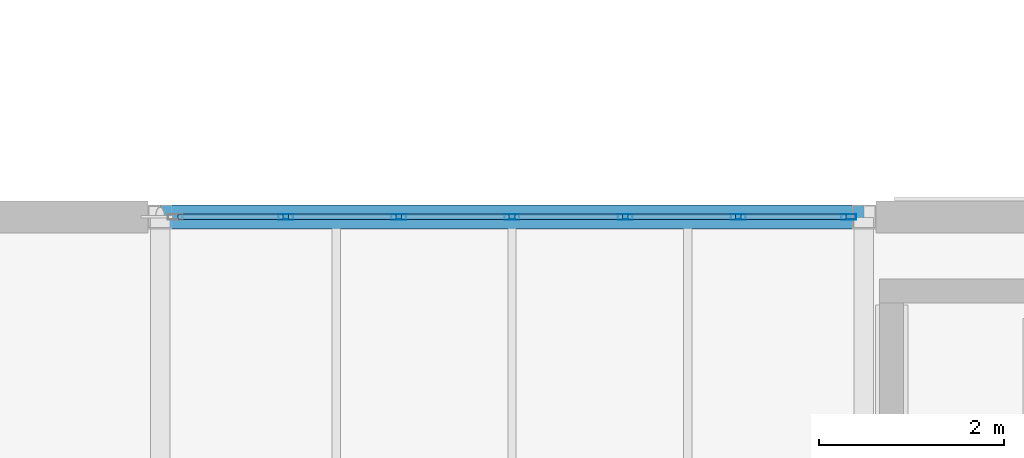
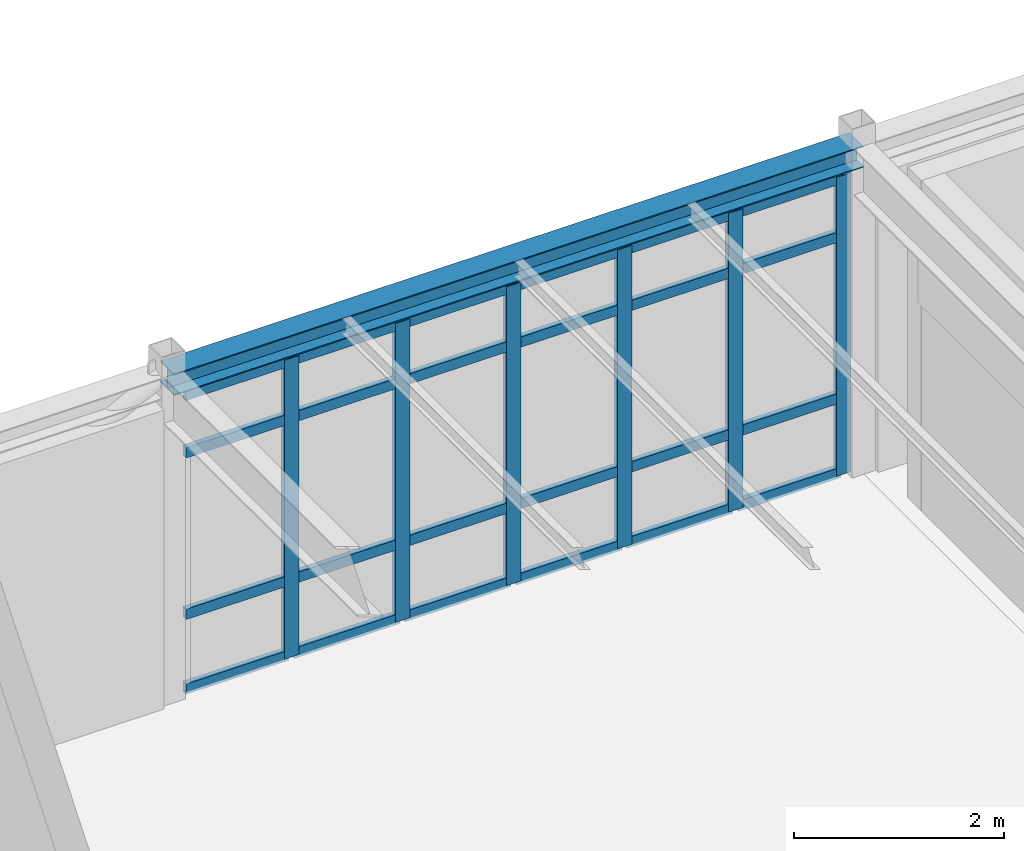
# One storey, part 79 of 189: 30 members, 1 beam, 1 element without a shape of its own.
"""IFC4 building model written with IfcOpenShell, lengths in metres."""

from ifc_helpers import new_model, si_unit, direction, frame, origin, origin_2d, place, context, subcontext, project, spatial, hollow_rectangle, i_section, extrude, material, layer, layer_set, material_profile, profile_set, type_object, element, aggregate, save


model = new_model("IFC4")

# Units and contexts
model_context = context("Model", 3, precision=1e-05, world=origin(), true_north=direction((0.0, 1.0)))
body_context = subcontext(model_context, "Body", "Model", "MODEL_VIEW")
ifc_project = project(units=[si_unit("LENGTHUNIT", "METRE"), si_unit("AREAUNIT", "SQUARE_METRE"), si_unit("VOLUMEUNIT", "CUBIC_METRE"), si_unit("PLANEANGLEUNIT", "RADIAN"), si_unit("MASSUNIT", "GRAM", prefix="KILO")], contexts=[model_context])

# Site, building, storey
site_placement = place(None, origin())
site = spatial("IfcSite", under=ifc_project, at=site_placement, CompositionType="ELEMENT")
building_placement = place(site_placement, origin())
building = spatial("IfcBuilding", under=site, at=building_placement, Name="Montecoro Central Library", CompositionType="ELEMENT")
storey_placement = place(building_placement, frame((0.0, 0.0, 9.179931640625)))
storey = spatial("IfcBuildingStorey", under=building, at=storey_placement, Name="L02", CompositionType="ELEMENT", Elevation=9.179931640625)

# Beam
ifc_material_1 = material(Name="Steel S355", Category="steel")
ifc_material_profile_1 = material_profile(ifc_material_1, i_section(OverallWidth=0.260009765625, OverallDepth=0.25, WebThickness=0.007568359375, FlangeThickness=0.012451171875, at=origin_2d()), Name="HEA 260")
ifc_profile_set_1 = profile_set([ifc_material_profile_1], Name="Steel S355")
beam_type = type_object("IfcBeamType", Name="BM-SP-HEA260", PredefinedType="SPANDREL", material=ifc_profile_set_1)
beam_placement = place(storey_placement, frame((20.205078125, 111.39990234375, 3.699951171875), z_axis=(1.0, 0.0, 0.0), x_axis=(0.0, 1.0, 0.0)))
element("IfcBeam", 1, at=beam_placement, inside=storey, type_object=beam_type, Name="V4-L02-BX-34-Q", PredefinedType="SPANDREL", context=body_context, shape_type="SweptSolid", body=[
    extrude(i_section(OverallWidth=0.260009765625, OverallDepth=0.25, WebThickness=0.007568359375, FlangeThickness=0.012451171875, at=origin_2d()), origin(), (0.0, 0.0, 1.0), 7.58984375),
])

# Curtain wall, members
ifc_material_2 = material(Name="Bronze-anodised aluminium and low-E glazing", Category="aluminium")
ifc_layer = layer(ifc_material_2, 0.159912109375)
ifc_layer_set = layer_set([ifc_layer], Name="Bronze-anodised aluminium and low-E glazing")
curtain_wall_type = type_object("IfcCurtainWallType", Name="CWT-048", PredefinedType="NOTDEFINED", material=ifc_layer_set)
curtain_wall_placement = place(storey_placement, origin())
curtain_wall = element("IfcCurtainWall", 2, at=curtain_wall_placement, inside=storey, type_object=curtain_wall_type, Name="V4-L02-CW-N2", PredefinedType="NOTDEFINED")
ifc_material_3 = material(Name="Bronze-anodised aluminium", Category="aluminium")
ifc_material_profile_2 = material_profile(ifc_material_3, hollow_rectangle(XDim=0.06005859375, YDim=0.159912109375, WallThickness=0.00390625, at=origin_2d()), Name="CWM 160x60x4.0")
ifc_profile_set_2 = profile_set([ifc_material_profile_2], Name="Bronze-anodised aluminium")
member_type_1 = type_object("IfcMemberType", Name="CWM-BRZ-60", PredefinedType="MULLION", material=ifc_profile_set_2)
member_1_placement = place(storey_placement, frame((27.636962890625, 111.39990234375, 0.0), z_axis=(0.0, 0.0, 1.0), x_axis=(0.0, -1.0, 0.0)))
member_1 = element("IfcMember", 3, at=member_1_placement, type_object=member_type_1, Name="CW-048 mullion 1", PredefinedType="MULLION", context=body_context, shape_type="SweptSolid", body=[
    extrude(hollow_rectangle(XDim=0.06005859375, YDim=0.159912109375, WallThickness=0.00390625, at=origin_2d()), origin(), (0.0, 0.0, 1.0), 3.47998046875),
])
member_2_placement = place(storey_placement, frame((26.444580078125, 111.39990234375, 0.0), z_axis=(0.0, 0.0, 1.0), x_axis=(0.0, -1.0, 0.0)))
member_2 = element("IfcMember", 4, at=member_2_placement, type_object=member_type_1, Name="CW-048 mullion 2", PredefinedType="MULLION", context=body_context, shape_type="SweptSolid", body=[
    extrude(hollow_rectangle(XDim=0.06005859375, YDim=0.159912109375, WallThickness=0.00390625, at=origin_2d()), origin(), (0.0, 0.0, 1.0), 3.47998046875),
])
member_3_placement = place(storey_placement, frame((25.222412109375, 111.39990234375, 0.0), z_axis=(0.0, 0.0, 1.0), x_axis=(0.0, -1.0, 0.0)))
member_3 = element("IfcMember", 5, at=member_3_placement, type_object=member_type_1, Name="CW-048 mullion 3", PredefinedType="MULLION", context=body_context, shape_type="SweptSolid", body=[
    extrude(hollow_rectangle(XDim=0.06005859375, YDim=0.159912109375, WallThickness=0.00390625, at=origin_2d()), origin(), (0.0, 0.0, 1.0), 3.47998046875),
])
member_4_placement = place(storey_placement, frame((24.0, 111.39990234375, 0.0), z_axis=(0.0, 0.0, 1.0), x_axis=(0.0, -1.0, 0.0)))
member_4 = element("IfcMember", 6, at=member_4_placement, type_object=member_type_1, Name="CW-048 mullion 4", PredefinedType="MULLION", context=body_context, shape_type="SweptSolid", body=[
    extrude(hollow_rectangle(XDim=0.06005859375, YDim=0.159912109375, WallThickness=0.00390625, at=origin_2d()), origin(), (0.0, 0.0, 1.0), 3.47998046875),
])
member_5_placement = place(storey_placement, frame((22.777587890625, 111.39990234375, 0.0), z_axis=(0.0, 0.0, 1.0), x_axis=(0.0, -1.0, 0.0)))
member_5 = element("IfcMember", 7, at=member_5_placement, type_object=member_type_1, Name="CW-048 mullion 5", PredefinedType="MULLION", context=body_context, shape_type="SweptSolid", body=[
    extrude(hollow_rectangle(XDim=0.06005859375, YDim=0.159912109375, WallThickness=0.00390625, at=origin_2d()), origin(), (0.0, 0.0, 1.0), 3.47998046875),
])
member_6_placement = place(storey_placement, frame((21.555419921875, 111.39990234375, 0.0), z_axis=(0.0, 0.0, 1.0), x_axis=(0.0, -1.0, 0.0)))
member_6 = element("IfcMember", 8, at=member_6_placement, type_object=member_type_1, Name="CW-048 mullion 6", PredefinedType="MULLION", context=body_context, shape_type="SweptSolid", body=[
    extrude(hollow_rectangle(XDim=0.06005859375, YDim=0.159912109375, WallThickness=0.00390625, at=origin_2d()), origin(), (0.0, 0.0, 1.0), 3.47998046875),
])
ifc_material_profile_3 = material_profile(ifc_material_3, hollow_rectangle(XDim=0.06005859375, YDim=0.1201171875, WallThickness=0.00390625, at=origin_2d()), Name="CWT 120x60x4.0")
ifc_profile_set_3 = profile_set([ifc_material_profile_3], Name="Bronze-anodised aluminium")
member_type_2 = type_object("IfcMemberType", Name="CWT-BRZ-60", PredefinedType="USERDEFINED", material=ifc_profile_set_3)
member_7_placement = place(storey_placement, frame((27.60693359375, 111.39990234375, 0.030029296875), z_axis=(-1.0, 0.0, 0.0), x_axis=(0.0, -1.0, 0.0)))
member_7 = element("IfcMember", 9, at=member_7_placement, type_object=member_type_2, Name="CW-048 transom 1.1", ObjectType="TRANSOM", PredefinedType="USERDEFINED", context=body_context, shape_type="SweptSolid", body=[
    extrude(hollow_rectangle(XDim=0.06005859375, YDim=0.1201171875, WallThickness=0.00390625, at=origin_2d()), origin(), (0.0, 0.0, 1.0), 1.13232421875),
])
member_8_placement = place(storey_placement, frame((27.60693359375, 111.39990234375, 0.900146484375), z_axis=(-1.0, 0.0, 0.0), x_axis=(0.0, -1.0, 0.0)))
member_8 = element("IfcMember", 10, at=member_8_placement, type_object=member_type_2, Name="CW-048 transom 1.2", ObjectType="TRANSOM", PredefinedType="USERDEFINED", context=body_context, shape_type="SweptSolid", body=[
    extrude(hollow_rectangle(XDim=0.06005859375, YDim=0.1201171875, WallThickness=0.00390625, at=origin_2d()), origin(), (0.0, 0.0, 1.0), 1.13232421875),
])
member_9_placement = place(storey_placement, frame((27.60693359375, 111.39990234375, 2.780029296875), z_axis=(-1.0, 0.0, 0.0), x_axis=(0.0, -1.0, 0.0)))
member_9 = element("IfcMember", 11, at=member_9_placement, type_object=member_type_2, Name="CW-048 transom 1.3", ObjectType="TRANSOM", PredefinedType="USERDEFINED", context=body_context, shape_type="SweptSolid", body=[
    extrude(hollow_rectangle(XDim=0.06005859375, YDim=0.1201171875, WallThickness=0.00390625, at=origin_2d()), origin(), (0.0, 0.0, 1.0), 1.13232421875),
])
member_10_placement = place(storey_placement, frame((27.60693359375, 111.39990234375, 3.449951171875), z_axis=(-1.0, 0.0, 0.0), x_axis=(0.0, -1.0, 0.0)))
member_10 = element("IfcMember", 12, at=member_10_placement, type_object=member_type_2, Name="CW-048 transom 1.4", ObjectType="TRANSOM", PredefinedType="USERDEFINED", context=body_context, shape_type="SweptSolid", body=[
    extrude(hollow_rectangle(XDim=0.06005859375, YDim=0.1201171875, WallThickness=0.00390625, at=origin_2d()), origin(), (0.0, 0.0, 1.0), 1.13232421875),
])
member_11_placement = place(storey_placement, frame((26.41455078125, 111.39990234375, 0.030029296875), z_axis=(-1.0, 0.0, 0.0), x_axis=(0.0, -1.0, 0.0)))
member_11 = element("IfcMember", 13, at=member_11_placement, type_object=member_type_2, Name="CW-048 transom 2.1", ObjectType="TRANSOM", PredefinedType="USERDEFINED", context=body_context, shape_type="SweptSolid", body=[
    extrude(hollow_rectangle(XDim=0.06005859375, YDim=0.1201171875, WallThickness=0.00390625, at=origin_2d()), origin(), (0.0, 0.0, 1.0), 1.162109375),
])
member_12_placement = place(storey_placement, frame((26.41455078125, 111.39990234375, 0.900146484375), z_axis=(-1.0, 0.0, 0.0), x_axis=(0.0, -1.0, 0.0)))
member_12 = element("IfcMember", 14, at=member_12_placement, type_object=member_type_2, Name="CW-048 transom 2.2", ObjectType="TRANSOM", PredefinedType="USERDEFINED", context=body_context, shape_type="SweptSolid", body=[
    extrude(hollow_rectangle(XDim=0.06005859375, YDim=0.1201171875, WallThickness=0.00390625, at=origin_2d()), origin(), (0.0, 0.0, 1.0), 1.162109375),
])
member_13_placement = place(storey_placement, frame((26.41455078125, 111.39990234375, 2.780029296875), z_axis=(-1.0, 0.0, 0.0), x_axis=(0.0, -1.0, 0.0)))
member_13 = element("IfcMember", 15, at=member_13_placement, type_object=member_type_2, Name="CW-048 transom 2.3", ObjectType="TRANSOM", PredefinedType="USERDEFINED", context=body_context, shape_type="SweptSolid", body=[
    extrude(hollow_rectangle(XDim=0.06005859375, YDim=0.1201171875, WallThickness=0.00390625, at=origin_2d()), origin(), (0.0, 0.0, 1.0), 1.162109375),
])
member_14_placement = place(storey_placement, frame((26.41455078125, 111.39990234375, 3.449951171875), z_axis=(-1.0, 0.0, 0.0), x_axis=(0.0, -1.0, 0.0)))
member_14 = element("IfcMember", 16, at=member_14_placement, type_object=member_type_2, Name="CW-048 transom 2.4", ObjectType="TRANSOM", PredefinedType="USERDEFINED", context=body_context, shape_type="SweptSolid", body=[
    extrude(hollow_rectangle(XDim=0.06005859375, YDim=0.1201171875, WallThickness=0.00390625, at=origin_2d()), origin(), (0.0, 0.0, 1.0), 1.162109375),
])
member_15_placement = place(storey_placement, frame((25.1923828125, 111.39990234375, 0.030029296875), z_axis=(-1.0, 0.0, 0.0), x_axis=(0.0, -1.0, 0.0)))
member_15 = element("IfcMember", 17, at=member_15_placement, type_object=member_type_2, Name="CW-048 transom 3.1", ObjectType="TRANSOM", PredefinedType="USERDEFINED", context=body_context, shape_type="SweptSolid", body=[
    extrude(hollow_rectangle(XDim=0.06005859375, YDim=0.1201171875, WallThickness=0.00390625, at=origin_2d()), origin(), (0.0, 0.0, 1.0), 1.162353515625),
])
member_16_placement = place(storey_placement, frame((25.1923828125, 111.39990234375, 0.900146484375), z_axis=(-1.0, 0.0, 0.0), x_axis=(0.0, -1.0, 0.0)))
member_16 = element("IfcMember", 18, at=member_16_placement, type_object=member_type_2, Name="CW-048 transom 3.2", ObjectType="TRANSOM", PredefinedType="USERDEFINED", context=body_context, shape_type="SweptSolid", body=[
    extrude(hollow_rectangle(XDim=0.06005859375, YDim=0.1201171875, WallThickness=0.00390625, at=origin_2d()), origin(), (0.0, 0.0, 1.0), 1.162353515625),
])
member_17_placement = place(storey_placement, frame((25.1923828125, 111.39990234375, 2.780029296875), z_axis=(-1.0, 0.0, 0.0), x_axis=(0.0, -1.0, 0.0)))
member_17 = element("IfcMember", 19, at=member_17_placement, type_object=member_type_2, Name="CW-048 transom 3.3", ObjectType="TRANSOM", PredefinedType="USERDEFINED", context=body_context, shape_type="SweptSolid", body=[
    extrude(hollow_rectangle(XDim=0.06005859375, YDim=0.1201171875, WallThickness=0.00390625, at=origin_2d()), origin(), (0.0, 0.0, 1.0), 1.162353515625),
])
member_18_placement = place(storey_placement, frame((25.1923828125, 111.39990234375, 3.449951171875), z_axis=(-1.0, 0.0, 0.0), x_axis=(0.0, -1.0, 0.0)))
member_18 = element("IfcMember", 20, at=member_18_placement, type_object=member_type_2, Name="CW-048 transom 3.4", ObjectType="TRANSOM", PredefinedType="USERDEFINED", context=body_context, shape_type="SweptSolid", body=[
    extrude(hollow_rectangle(XDim=0.06005859375, YDim=0.1201171875, WallThickness=0.00390625, at=origin_2d()), origin(), (0.0, 0.0, 1.0), 1.162353515625),
])
member_19_placement = place(storey_placement, frame((23.969970703125, 111.39990234375, 0.030029296875), z_axis=(-1.0, 0.0, 0.0), x_axis=(0.0, -1.0, 0.0)))
member_19 = element("IfcMember", 21, at=member_19_placement, type_object=member_type_2, Name="CW-048 transom 4.1", ObjectType="TRANSOM", PredefinedType="USERDEFINED", context=body_context, shape_type="SweptSolid", body=[
    extrude(hollow_rectangle(XDim=0.06005859375, YDim=0.1201171875, WallThickness=0.00390625, at=origin_2d()), origin(), (0.0, 0.0, 1.0), 1.162353515625),
])
member_20_placement = place(storey_placement, frame((23.969970703125, 111.39990234375, 0.900146484375), z_axis=(-1.0, 0.0, 0.0), x_axis=(0.0, -1.0, 0.0)))
member_20 = element("IfcMember", 22, at=member_20_placement, type_object=member_type_2, Name="CW-048 transom 4.2", ObjectType="TRANSOM", PredefinedType="USERDEFINED", context=body_context, shape_type="SweptSolid", body=[
    extrude(hollow_rectangle(XDim=0.06005859375, YDim=0.1201171875, WallThickness=0.00390625, at=origin_2d()), origin(), (0.0, 0.0, 1.0), 1.162353515625),
])
member_21_placement = place(storey_placement, frame((23.969970703125, 111.39990234375, 2.780029296875), z_axis=(-1.0, 0.0, 0.0), x_axis=(0.0, -1.0, 0.0)))
member_21 = element("IfcMember", 23, at=member_21_placement, type_object=member_type_2, Name="CW-048 transom 4.3", ObjectType="TRANSOM", PredefinedType="USERDEFINED", context=body_context, shape_type="SweptSolid", body=[
    extrude(hollow_rectangle(XDim=0.06005859375, YDim=0.1201171875, WallThickness=0.00390625, at=origin_2d()), origin(), (0.0, 0.0, 1.0), 1.162353515625),
])
member_22_placement = place(storey_placement, frame((23.969970703125, 111.39990234375, 3.449951171875), z_axis=(-1.0, 0.0, 0.0), x_axis=(0.0, -1.0, 0.0)))
member_22 = element("IfcMember", 24, at=member_22_placement, type_object=member_type_2, Name="CW-048 transom 4.4", ObjectType="TRANSOM", PredefinedType="USERDEFINED", context=body_context, shape_type="SweptSolid", body=[
    extrude(hollow_rectangle(XDim=0.06005859375, YDim=0.1201171875, WallThickness=0.00390625, at=origin_2d()), origin(), (0.0, 0.0, 1.0), 1.162353515625),
])
member_23_placement = place(storey_placement, frame((22.74755859375, 111.39990234375, 0.030029296875), z_axis=(-1.0, 0.0, 0.0), x_axis=(0.0, -1.0, 0.0)))
member_23 = element("IfcMember", 25, at=member_23_placement, type_object=member_type_2, Name="CW-048 transom 5.1", ObjectType="TRANSOM", PredefinedType="USERDEFINED", context=body_context, shape_type="SweptSolid", body=[
    extrude(hollow_rectangle(XDim=0.06005859375, YDim=0.1201171875, WallThickness=0.00390625, at=origin_2d()), origin(), (0.0, 0.0, 1.0), 1.162109375),
])
member_24_placement = place(storey_placement, frame((22.74755859375, 111.39990234375, 0.900146484375), z_axis=(-1.0, 0.0, 0.0), x_axis=(0.0, -1.0, 0.0)))
member_24 = element("IfcMember", 26, at=member_24_placement, type_object=member_type_2, Name="CW-048 transom 5.2", ObjectType="TRANSOM", PredefinedType="USERDEFINED", context=body_context, shape_type="SweptSolid", body=[
    extrude(hollow_rectangle(XDim=0.06005859375, YDim=0.1201171875, WallThickness=0.00390625, at=origin_2d()), origin(), (0.0, 0.0, 1.0), 1.162109375),
])
member_25_placement = place(storey_placement, frame((22.74755859375, 111.39990234375, 2.780029296875), z_axis=(-1.0, 0.0, 0.0), x_axis=(0.0, -1.0, 0.0)))
member_25 = element("IfcMember", 27, at=member_25_placement, type_object=member_type_2, Name="CW-048 transom 5.3", ObjectType="TRANSOM", PredefinedType="USERDEFINED", context=body_context, shape_type="SweptSolid", body=[
    extrude(hollow_rectangle(XDim=0.06005859375, YDim=0.1201171875, WallThickness=0.00390625, at=origin_2d()), origin(), (0.0, 0.0, 1.0), 1.162109375),
])
member_26_placement = place(storey_placement, frame((22.74755859375, 111.39990234375, 3.449951171875), z_axis=(-1.0, 0.0, 0.0), x_axis=(0.0, -1.0, 0.0)))
member_26 = element("IfcMember", 28, at=member_26_placement, type_object=member_type_2, Name="CW-048 transom 5.4", ObjectType="TRANSOM", PredefinedType="USERDEFINED", context=body_context, shape_type="SweptSolid", body=[
    extrude(hollow_rectangle(XDim=0.06005859375, YDim=0.1201171875, WallThickness=0.00390625, at=origin_2d()), origin(), (0.0, 0.0, 1.0), 1.162109375),
])
member_27_placement = place(storey_placement, frame((21.525390625, 111.39990234375, 0.030029296875), z_axis=(-1.0, 0.0, 0.0), x_axis=(0.0, -1.0, 0.0)))
member_27 = element("IfcMember", 29, at=member_27_placement, type_object=member_type_2, Name="CW-048 transom 6.1", ObjectType="TRANSOM", PredefinedType="USERDEFINED", context=body_context, shape_type="SweptSolid", body=[
    extrude(hollow_rectangle(XDim=0.06005859375, YDim=0.1201171875, WallThickness=0.00390625, at=origin_2d()), origin(), (0.0, 0.0, 1.0), 1.13232421875),
])
member_28_placement = place(storey_placement, frame((21.525390625, 111.39990234375, 0.900146484375), z_axis=(-1.0, 0.0, 0.0), x_axis=(0.0, -1.0, 0.0)))
member_28 = element("IfcMember", 30, at=member_28_placement, type_object=member_type_2, Name="CW-048 transom 6.2", ObjectType="TRANSOM", PredefinedType="USERDEFINED", context=body_context, shape_type="SweptSolid", body=[
    extrude(hollow_rectangle(XDim=0.06005859375, YDim=0.1201171875, WallThickness=0.00390625, at=origin_2d()), origin(), (0.0, 0.0, 1.0), 1.13232421875),
])
member_29_placement = place(storey_placement, frame((21.525390625, 111.39990234375, 2.780029296875), z_axis=(-1.0, 0.0, 0.0), x_axis=(0.0, -1.0, 0.0)))
member_29 = element("IfcMember", 31, at=member_29_placement, type_object=member_type_2, Name="CW-048 transom 6.3", ObjectType="TRANSOM", PredefinedType="USERDEFINED", context=body_context, shape_type="SweptSolid", body=[
    extrude(hollow_rectangle(XDim=0.06005859375, YDim=0.1201171875, WallThickness=0.00390625, at=origin_2d()), origin(), (0.0, 0.0, 1.0), 1.13232421875),
])
member_30_placement = place(storey_placement, frame((21.525390625, 111.39990234375, 3.449951171875), z_axis=(-1.0, 0.0, 0.0), x_axis=(0.0, -1.0, 0.0)))
member_30 = element("IfcMember", 32, at=member_30_placement, type_object=member_type_2, Name="CW-048 transom 6.4", ObjectType="TRANSOM", PredefinedType="USERDEFINED", context=body_context, shape_type="SweptSolid", body=[
    extrude(hollow_rectangle(XDim=0.06005859375, YDim=0.1201171875, WallThickness=0.00390625, at=origin_2d()), origin(), (0.0, 0.0, 1.0), 1.13232421875),
])
aggregate(curtain_wall, [member_1, member_2, member_3, member_4, member_5, member_6, member_7, member_8, member_9, member_10, member_11, member_12, member_13, member_14, member_15, member_16, member_17, member_18, member_19, member_20, member_21, member_22, member_23, member_24, member_25, member_26, member_27, member_28, member_29, member_30])

save(model, "model.ifc")
